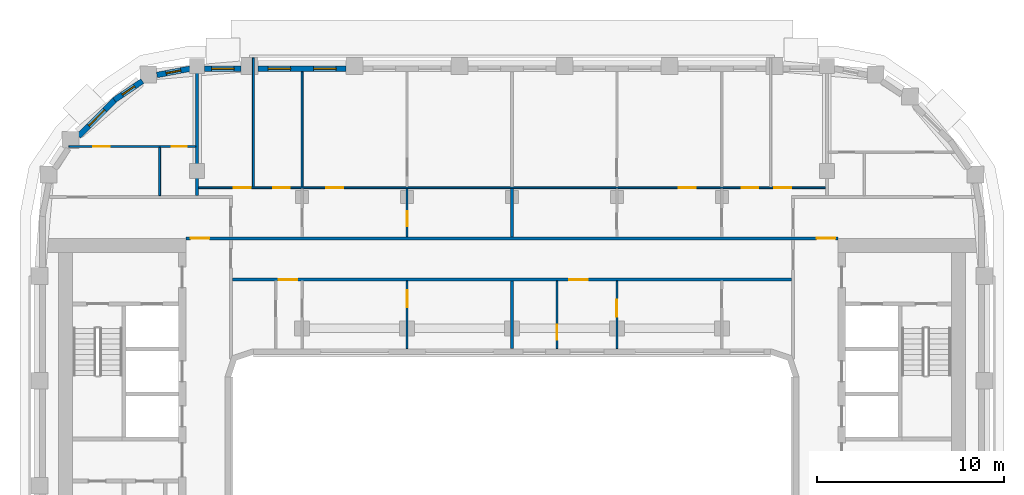
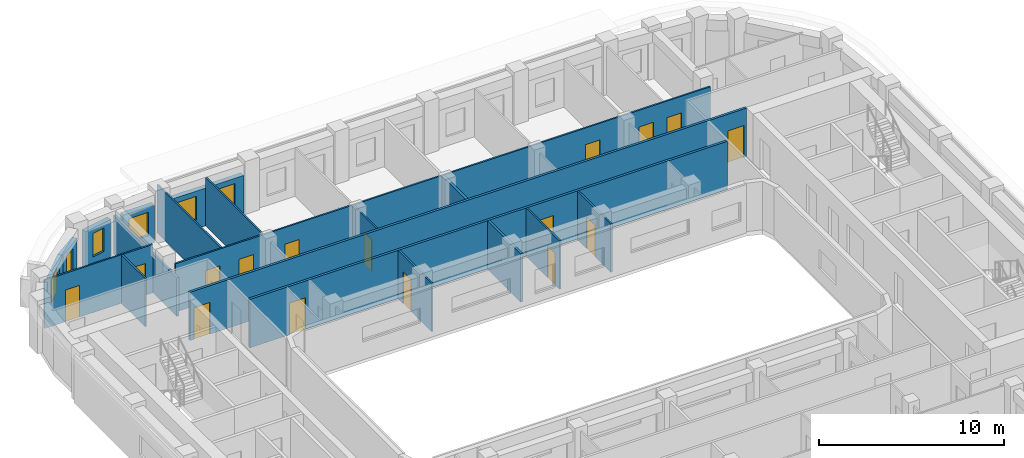
# One storey, part 7 of 21: 19 walls, 16 doors, 6 windows, 22 openings.
"""IFC4 building model written with IfcOpenShell, lengths in metres."""

import ifcopenshell
import ifcopenshell.guid

model = None  # the IFC model being written
_history = None  # IfcOwnerHistory: only IFC2X3 demands one
_inside = {}  # id of a spatial element -> (the spatial element, [elements in it])
_under = {}  # id of a project, library or spatial element -> (it, [spatial elements below it])
_declared = {}  # id of a project -> (the project, [libraries it declares])
_typed = {}  # id of a type object -> (the type object, [elements of that type])
_made_of = {}  # id of a material, layer set ... -> (it, [elements and type objects made of it])


def new_model(schema):
    """Start an empty IFC model of exactly this schema.

    Asked for "IFC4X3", IfcOpenShell would pick the latest addendum, in which some entities
    have other attributes; the version numbers below select the first issue.
    IFC2X3 requires an IfcOwnerHistory on every rooted entity: one is made here for all.
    """
    global model, _history
    if schema == "IFC4X3":
        model = ifcopenshell.file(schema_version=(4, 3, 0, 0))
    else:
        model = ifcopenshell.file(schema=schema)
    _inside.clear()
    _under.clear()
    _declared.clear()
    _typed.clear()
    _made_of.clear()
    _history = None
    if model.schema == "IFC2X3":
        org = make("IfcOrganization", Name="unknown")
        user = make(
            "IfcPersonAndOrganization",
            ThePerson=make("IfcPerson", FamilyName="unknown"),
            TheOrganization=org,
        )
        app = make(
            "IfcApplication",
            ApplicationDeveloper=org,
            Version="unknown",
            ApplicationFullName="unknown",
            ApplicationIdentifier="unknown",
        )
        _history = make(
            "IfcOwnerHistory",
            OwningUser=user,
            OwningApplication=app,
            ChangeAction="ADDED",
            CreationDate=0,
        )
    return model


def make(cls, **values):
    """One entity of the class cls with the attributes given. An attribute that is None is left unset."""
    return model.create_entity(
        cls, **{name: value for name, value in values.items() if value is not None}
    )


def rooted(cls, **values):
    """An entity with a GlobalId (a new one), such as an element, a storey or a relation."""
    return make(cls, GlobalId=ifcopenshell.guid.new(), OwnerHistory=_history, **values)


def si_unit(unit_type, name, prefix=None):
    """IfcSIUnit, for example si_unit("LENGTHUNIT", "METRE", prefix="MILLI")."""
    return make("IfcSIUnit", UnitType=unit_type, Prefix=prefix, Name=name)


def assignment(units):
    """IfcUnitAssignment: the units of a project."""
    return None if units is None else make("IfcUnitAssignment", Units=units)


def point(xyz):
    """IfcCartesianPoint."""
    return None if xyz is None else make("IfcCartesianPoint", Coordinates=xyz)


def direction(xyz):
    """IfcDirection."""
    return None if xyz is None else make("IfcDirection", DirectionRatios=xyz)


def frame(location, z_axis=None, x_axis=None):
    """IfcAxis2Placement3D, a coordinate frame: its origin and axes. An axis left out is left unset."""
    return make(
        "IfcAxis2Placement3D",
        Location=point(location),
        Axis=direction(z_axis),
        RefDirection=direction(x_axis),
    )


def frame_2d(location, x_axis=None):
    """IfcAxis2Placement2D, a coordinate frame in the plane: its origin and x axis."""
    return make(
        "IfcAxis2Placement2D", Location=point(location), RefDirection=direction(x_axis)
    )


def origin():
    """The frame at (0, 0, 0) with its axes left unset."""
    return frame((0.0, 0.0, 0.0))


def place(relative_to, where):
    """IfcLocalPlacement: puts the frame where relative to a parent placement (None: the world)."""
    return make(
        "IfcLocalPlacement", PlacementRelTo=relative_to, RelativePlacement=where
    )


def context(
    kind, dimensions, precision=None, world=None, true_north=None, identifier=None
):
    """IfcGeometricRepresentationContext, for example the 3D "Model" context."""
    return make(
        "IfcGeometricRepresentationContext",
        ContextIdentifier=identifier,
        ContextType=kind,
        CoordinateSpaceDimension=dimensions,
        Precision=precision,
        WorldCoordinateSystem=world,
        TrueNorth=true_north,
    )


def subcontext(parent, identifier, kind, view, scale=None):
    """IfcGeometricRepresentationSubContext, for example "Body" below "Model"."""
    return make(
        "IfcGeometricRepresentationSubContext",
        ContextIdentifier=identifier,
        ContextType=kind,
        ParentContext=parent,
        TargetScale=scale,
        TargetView=view,
    )


def project(units=None, contexts=None):
    """IfcProject with its units and contexts."""
    return rooted(
        "IfcProject",
        Name="project",
        RepresentationContexts=contexts,
        UnitsInContext=assignment(units),
    )


def spatial(cls, under=None, at=None, **own):
    """A site, building, storey or space (cls), placed at a placement, below another one or the project."""
    s = rooted(cls, ObjectPlacement=at, **own)
    if under is not None:
        _under.setdefault(under.id(), (under, []))[1].append(s)
    return s


def profile(cls, at=None, kind="AREA", **sizes):
    """A parametric profile (cls). Its sizes go by their IFC names, for example OverallWidth=200.0."""
    return make(cls, ProfileType=kind, Position=at, **sizes)


def rectangle(**sizes):
    """IfcRectangleProfileDef."""
    return profile("IfcRectangleProfileDef", **sizes)


def extrude(swept, where, along, depth):
    """IfcExtrudedAreaSolid: the profile swept, set in the frame where, extruded along a direction by depth."""
    return make(
        "IfcExtrudedAreaSolid",
        SweptArea=swept,
        Position=where,
        ExtrudedDirection=direction(along),
        Depth=depth,
    )


def shape(context_of_items, identifier, shape_type, items):
    """IfcShapeRepresentation: the items that make up one representation, for example the "Body"."""
    return make(
        "IfcShapeRepresentation",
        ContextOfItems=context_of_items,
        RepresentationIdentifier=identifier,
        RepresentationType=shape_type,
        Items=items,
    )


def material(Name=None, Category=None):
    """IfcMaterial."""
    return make("IfcMaterial", Name=Name, Category=Category)


def layer(
    of_material, thickness, ventilated=None, Name=None, Category=None, Priority=None
):
    """IfcMaterialLayer: one layer of a wall or slab, of a material (None: an air gap)."""
    return make(
        "IfcMaterialLayer",
        Material=of_material,
        LayerThickness=thickness,
        IsVentilated=ventilated,
        Name=Name,
        Category=Category,
        Priority=Priority,
    )


def layer_set(layers, Name=None):
    """IfcMaterialLayerSet."""
    return make("IfcMaterialLayerSet", MaterialLayers=layers, LayerSetName=Name)


def made_of(thing, what):
    """Note that an element or type object is made of a material, layer set ...; save() writes the relation."""
    if what is not None:
        _made_of.setdefault(what.id(), (what, []))[1].append(thing)
    return thing


def type_object(cls, material=None, **own):
    """A type object (cls), such as IfcWallType, which elements share."""
    return made_of(rooted(cls, **own), material)


def element(
    cls,
    number,
    at=None,
    inside=None,
    cuts=None,
    type_object=None,
    material=None,
    context=None,
    identifier="Body",
    shape_type=None,
    held_by="IfcProductDefinitionShape",
    body=None,
    shapes=None,
    **own,
):
    """One element of the class cls, such as IfcWall. Its Tag is "e" and its number.

    at: its placement. inside: the storey or other place that contains it. cuts: it is an
    opening in that element (IfcRelVoidsElement). A single representation is given by context,
    identifier, shape_type and body (its items); several are given by shapes. held_by: the class
    of the entity that holds the representations. save() writes the other relations.
    """
    e = rooted(cls, Tag="e%d" % number, ObjectPlacement=at, **own)
    if body is not None:
        shapes = [shape(context, identifier, shape_type, body)]
    if shapes is not None:
        e.Representation = make(held_by, Representations=shapes)
    if inside is not None:
        _inside.setdefault(inside.id(), (inside, []))[1].append(e)
    if cuts is not None:
        rooted(
            "IfcRelVoidsElement", RelatingBuildingElement=cuts, RelatedOpeningElement=e
        )
    if type_object is not None:
        _typed.setdefault(type_object.id(), (type_object, []))[1].append(e)
    return made_of(e, material)


def fill(opening, filler):
    """IfcRelFillsElement: the door or window that sits in an opening."""
    return rooted(
        "IfcRelFillsElement",
        RelatingOpeningElement=opening,
        RelatedBuildingElement=filler,
    )


def aggregate(whole, parts):
    """IfcRelAggregates: a whole, such as a stair, and the parts it consists of."""
    return rooted("IfcRelAggregates", RelatingObject=whole, RelatedObjects=parts)


def save(model, path):
    """Write the relations noted so far, then the file.

    IfcRelAggregates (storeys below a building ...), IfcRelContainedInSpatialStructure (elements
    in a storey), IfcRelDefinesByType, IfcRelAssociatesMaterial and IfcRelDeclares: one each for
    every whole, place, type object, material and project.
    """
    for whole, parts in _under.values():
        aggregate(whole, parts)
    for where, things in _inside.values():
        rooted(
            "IfcRelContainedInSpatialStructure",
            RelatedElements=things,
            RelatingStructure=where,
        )
    for kind, things in _typed.values():
        rooted("IfcRelDefinesByType", RelatedObjects=things, RelatingType=kind)
    for what, things in _made_of.values():
        rooted("IfcRelAssociatesMaterial", RelatedObjects=things, RelatingMaterial=what)
    for by, libraries in _declared.values():
        rooted("IfcRelDeclares", RelatingContext=by, RelatedDefinitions=libraries)
    model.write(path)


model = new_model("IFC4")

# Units and contexts
model_context = context("Model", 3, precision=1e-05, world=origin(), true_north=direction((0.0, 1.0)))
body_context = subcontext(model_context, "Body", "Model", "MODEL_VIEW")
ifc_project = project(units=[si_unit("LENGTHUNIT", "METRE"), si_unit("AREAUNIT", "SQUARE_METRE"), si_unit("VOLUMEUNIT", "CUBIC_METRE"), si_unit("PLANEANGLEUNIT", "RADIAN"), si_unit("MASSUNIT", "GRAM", prefix="KILO")], contexts=[model_context])

# Site, building, storey
site_placement = place(None, origin())
site = spatial("IfcSite", under=ifc_project, at=site_placement, CompositionType="ELEMENT")
building_placement = place(site_placement, origin())
building = spatial("IfcBuilding", under=site, at=building_placement, Name="Kiln Ring Residences", CompositionType="ELEMENT")
storey_placement = place(building_placement, frame((0.0, 0.0, 199.39990234375)))
storey = spatial("IfcBuildingStorey", under=building, at=storey_placement, Name="L51", CompositionType="ELEMENT", Elevation=199.39990234375)

# Wall, openings, windows
ifc_material_1 = material(Name="Brick masonry, dark clay brick", Category="masonry")
ifc_layer_1 = layer(ifc_material_1, 0.300048828125)
ifc_layer_set_1 = layer_set([ifc_layer_1], Name="EW-300 BRICK WALL")
wall_type_1 = type_object("IfcWallType", Name="EW-300 BRICK WALL", PredefinedType="SOLIDWALL", material=ifc_layer_set_1)
wall_1_placement = place(storey_placement, frame((-8.85009765625, 22.25, 0.0), z_axis=(0.0, 0.0, 1.0), x_axis=(-1.0, 0.0, 0.0)))
wall_1 = element("IfcWall", 1, at=wall_1_placement, inside=storey, type_object=wall_type_1, Name="Facade wall L51 32", PredefinedType="SOLIDWALL", context=body_context, shape_type="SweptSolid", body=[
    extrude(rectangle(XDim=4.699951171875, YDim=0.300048828125, at=frame_2d((2.35009765625, 0.0))), origin(), (0.0, 0.0, 1.0), 2.5),
])
opening_1_placement = place(wall_1_placement, frame((0.53759765625, 0.0, 0.60009765625)))
opening_1 = element("IfcOpeningElement", 2, at=opening_1_placement, cuts=wall_1, Name="Opening W1", PredefinedType="OPENING", context=body_context, shape_type="SweptSolid", body=[
    extrude(rectangle(XDim=1.199951171875, YDim=1.550048828125, at=frame_2d((0.60009765625, 0.77490234375))), frame((0.0, 0.159912109375, 0.0), z_axis=(0.0, -1.0, 0.0), x_axis=(1.0, 0.0, 0.0)), (0.0, 0.0, 1.0), 0.320068359375),
])
opening_2_placement = place(wall_1_placement, frame((2.96240234375, 0.0, 0.60009765625)))
opening_2 = element("IfcOpeningElement", 3, at=opening_2_placement, cuts=wall_1, Name="Opening W1", PredefinedType="OPENING", context=body_context, shape_type="SweptSolid", body=[
    extrude(rectangle(XDim=1.199951171875, YDim=1.550048828125, at=frame_2d((0.60009765625, 0.77490234375))), frame((0.0, 0.159912109375, 0.0), z_axis=(0.0, -1.0, 0.0), x_axis=(1.0, 0.0, 0.0)), (0.0, 0.0, 1.0), 0.320068359375),
])
ifc_material_2 = material(Name="Aluminium frame with double glazing", Category="aluminium")
window_type_1 = type_object("IfcWindowType", Name="WINDOW 1200 x 1550", PartitioningType="SINGLE_PANEL", PredefinedType="WINDOW", material=ifc_material_2)
window_1_placement = place(opening_1_placement, origin())
window_1 = element("IfcWindow", 4, at=window_1_placement, inside=storey, type_object=window_type_1, Name="Window L51 28", OverallHeight=1.550048828125, OverallWidth=1.199951171875, PartitioningType="SINGLE_PANEL", PredefinedType="WINDOW", context=body_context, shape_type="SweptSolid", body=[
    extrude(rectangle(XDim=1.199951171875, YDim=1.550048828125, at=frame_2d((0.60009765625, 0.77490234375))), frame((0.0, 0.030029296875, 0.0), z_axis=(0.0, -1.0, 0.0), x_axis=(1.0, 0.0, 0.0)), (0.0, 0.0, 1.0), 0.06005859375),
])
fill(opening_1, window_1)
window_2_placement = place(opening_2_placement, origin())
window_2 = element("IfcWindow", 5, at=window_2_placement, inside=storey, type_object=window_type_1, Name="Window L51 29", OverallHeight=1.550048828125, OverallWidth=1.199951171875, PartitioningType="SINGLE_PANEL", PredefinedType="WINDOW", context=body_context, shape_type="SweptSolid", body=[
    extrude(rectangle(XDim=1.199951171875, YDim=1.550048828125, at=frame_2d((0.60009765625, 0.77490234375))), frame((0.0, 0.030029296875, 0.0), z_axis=(0.0, -1.0, 0.0), x_axis=(1.0, 0.0, 0.0)), (0.0, 0.0, 1.0), 0.06005859375),
])
fill(opening_2, window_2)

# Wall, opening, window
wall_2_placement = place(storey_placement, frame((-14.449951171875, 22.25, 0.0), z_axis=(0.0, 0.0, 1.0), x_axis=(-1.0, 0.0, 0.0)))
wall_2 = element("IfcWall", 6, at=wall_2_placement, inside=storey, type_object=wall_type_1, Name="Facade wall L51 33", PredefinedType="SOLIDWALL", context=body_context, shape_type="SweptSolid", body=[
    extrude(rectangle(XDim=1.949951171875, YDim=0.300048828125, at=frame_2d((0.97509765625, 0.0))), origin(), (0.0, 0.0, 1.0), 2.5),
])
opening_3_placement = place(wall_2_placement, frame((0.375, 0.0, 0.60009765625)))
opening_3 = element("IfcOpeningElement", 7, at=opening_3_placement, cuts=wall_2, Name="Opening W1", PredefinedType="OPENING", context=body_context, shape_type="SweptSolid", body=[
    extrude(rectangle(XDim=1.199951171875, YDim=1.550048828125, at=frame_2d((0.60009765625, 0.77490234375))), frame((0.0, 0.159912109375, 0.0), z_axis=(0.0, -1.0, 0.0), x_axis=(1.0, 0.0, 0.0)), (0.0, 0.0, 1.0), 0.320068359375),
])
window_3_placement = place(opening_3_placement, origin())
window_3 = element("IfcWindow", 8, at=window_3_placement, inside=storey, type_object=window_type_1, Name="Window L51 30", OverallHeight=1.550048828125, OverallWidth=1.199951171875, PartitioningType="SINGLE_PANEL", PredefinedType="WINDOW", context=body_context, shape_type="SweptSolid", body=[
    extrude(rectangle(XDim=1.199951171875, YDim=1.550048828125, at=frame_2d((0.60009765625, 0.77490234375))), frame((0.0, 0.030029296875, 0.0), z_axis=(0.0, -1.0, 0.0), x_axis=(1.0, 0.0, 0.0)), (0.0, 0.0, 1.0), 0.06005859375),
])
fill(opening_3, window_3)

wall_3_placement = place(storey_placement, frame((-17.178955078125, 22.251220703125, 0.0), z_axis=(0.0, 0.0, 1.0), x_axis=(-0.98230529033, -0.187286722942, 0.0)))
wall_3 = element("IfcWall", 9, at=wall_3_placement, inside=storey, type_object=wall_type_1, Name="Facade wall L51 34", PredefinedType="SOLIDWALL", context=body_context, shape_type="SweptSolid", body=[
    extrude(rectangle(XDim=1.798828125, YDim=0.300048828125, at=frame_2d((0.8994140625, 0.0))), origin(), (0.0, 0.0, 1.0), 2.5),
])
opening_4_placement = place(wall_3_placement, frame((0.49951171875, 0.0, 0.60009765625)))
opening_4 = element("IfcOpeningElement", 10, at=opening_4_placement, cuts=wall_3, Name="Opening W5", PredefinedType="OPENING", context=body_context, shape_type="SweptSolid", body=[
    extrude(rectangle(XDim=0.800048828125, YDim=1.550048828125, at=frame_2d((0.39990234375, 0.77490234375))), frame((0.0, 0.159912109375, 0.0), z_axis=(0.0, -1.0, 0.0), x_axis=(1.0, 0.0, 0.0)), (0.0, 0.0, 1.0), 0.320068359375),
])
ifc_material_3 = material(Name="Aluminium frame with double glazing", Category="aluminium")
window_type_2 = type_object("IfcWindowType", Name="WINDOW 800 x 1550", PartitioningType="SINGLE_PANEL", PredefinedType="WINDOW", material=ifc_material_3)
window_4_placement = place(opening_4_placement, origin())
window_4 = element("IfcWindow", 11, at=window_4_placement, inside=storey, type_object=window_type_2, Name="Window L51 31", OverallHeight=1.550048828125, OverallWidth=0.800048828125, PartitioningType="SINGLE_PANEL", PredefinedType="WINDOW", context=body_context, shape_type="SweptSolid", body=[
    extrude(rectangle(XDim=0.800048828125, YDim=1.550048828125, at=frame_2d((0.39990234375, 0.77490234375))), frame((0.0, 0.030029296875, 0.0), z_axis=(0.0, -1.0, 0.0), x_axis=(1.0, 0.0, 0.0)), (0.0, 0.0, 1.0), 0.06005859375),
])
fill(opening_4, window_4)

wall_4_placement = place(storey_placement, frame((-19.718994140625, 21.593994140625, 0.0), z_axis=(0.0, 0.0, 1.0), x_axis=(-0.827067282455, -0.562102935673, 0.0)))
wall_4 = element("IfcWall", 12, at=wall_4_placement, inside=storey, type_object=wall_type_1, Name="Facade wall L51 35", PredefinedType="SOLIDWALL", context=body_context, shape_type="SweptSolid", body=[
    extrude(rectangle(XDim=1.805908203125, YDim=0.300048828125, at=frame_2d((0.90283203125, 0.0))), origin(), (0.0, 0.0, 1.0), 2.5),
])
opening_5_placement = place(wall_4_placement, frame((0.5029296875, 0.0, 0.60009765625)))
opening_5 = element("IfcOpeningElement", 13, at=opening_5_placement, cuts=wall_4, Name="Opening W5", PredefinedType="OPENING", context=body_context, shape_type="SweptSolid", body=[
    extrude(rectangle(XDim=0.800048828125, YDim=1.550048828125, at=frame_2d((0.39990234375, 0.77490234375))), frame((0.0, 0.159912109375, 0.0), z_axis=(0.0, -1.0, 0.0), x_axis=(1.0, 0.0, 0.0)), (0.0, 0.0, 1.0), 0.320068359375),
])
window_5_placement = place(opening_5_placement, origin())
window_5 = element("IfcWindow", 14, at=window_5_placement, inside=storey, type_object=window_type_2, Name="Window L51 32", OverallHeight=1.550048828125, OverallWidth=0.800048828125, PartitioningType="SINGLE_PANEL", PredefinedType="WINDOW", context=body_context, shape_type="SweptSolid", body=[
    extrude(rectangle(XDim=0.800048828125, YDim=1.550048828125, at=frame_2d((0.39990234375, 0.77490234375))), frame((0.0, 0.030029296875, 0.0), z_axis=(0.0, -1.0, 0.0), x_axis=(1.0, 0.0, 0.0)), (0.0, 0.0, 1.0), 0.06005859375),
])
fill(opening_5, window_5)

wall_5_placement = place(storey_placement, frame((-21.19091796875, 20.596923828125, 0.0), z_axis=(0.0, 0.0, 1.0), x_axis=(-0.707106781187, -0.707106781187, 0.0)))
wall_5 = element("IfcWall", 15, at=wall_5_placement, inside=storey, type_object=wall_type_1, Name="Facade wall L51 36", PredefinedType="SOLIDWALL", context=body_context, shape_type="SweptSolid", body=[
    extrude(rectangle(XDim=2.75, YDim=0.300048828125, at=frame_2d((1.375, 0.0))), origin(), (0.0, 0.0, 1.0), 2.5),
])
opening_6_placement = place(wall_5_placement, frame((0.77490234375, 0.0, 0.60009765625)))
opening_6 = element("IfcOpeningElement", 16, at=opening_6_placement, cuts=wall_5, Name="Opening W1", PredefinedType="OPENING", context=body_context, shape_type="SweptSolid", body=[
    extrude(rectangle(XDim=1.199951171875, YDim=1.550048828125, at=frame_2d((0.60009765625, 0.77490234375))), frame((0.0, 0.159912109375, 0.0), z_axis=(0.0, -1.0, 0.0), x_axis=(1.0, 0.0, 0.0)), (0.0, 0.0, 1.0), 0.320068359375),
])
window_6_placement = place(opening_6_placement, origin())
window_6 = element("IfcWindow", 17, at=window_6_placement, inside=storey, type_object=window_type_1, Name="Window L51 33", OverallHeight=1.550048828125, OverallWidth=1.199951171875, PartitioningType="SINGLE_PANEL", PredefinedType="WINDOW", context=body_context, shape_type="SweptSolid", body=[
    extrude(rectangle(XDim=1.199951171875, YDim=1.550048828125, at=frame_2d((0.60009765625, 0.77490234375))), frame((0.0, 0.030029296875, 0.0), z_axis=(0.0, -1.0, 0.0), x_axis=(1.0, 0.0, 0.0)), (0.0, 0.0, 1.0), 0.06005859375),
])
fill(opening_6, window_6)

# Wall, openings, doors
ifc_material_4 = material(Name="Gypsum board on steel studs", Category="steel")
ifc_layer_2 = layer(ifc_material_4, 0.10009765625)
ifc_layer_set_2 = layer_set([ifc_layer_2], Name="PARTITION-100")
wall_type_2 = type_object("IfcWallType", Name="PARTITION-100", PredefinedType="PARTITIONING", material=ifc_layer_set_2)
wall_6_placement = place(storey_placement, frame((-16.72509765625, 15.89990234375, 0.0), z_axis=(0.0, 0.0, 1.0), x_axis=(1.0, 0.0, 0.0)))
wall_6 = element("IfcWall", 18, at=wall_6_placement, inside=storey, type_object=wall_type_2, Name="Partition 011", PredefinedType="PARTITIONING", context=body_context, shape_type="SweptSolid", body=[
    extrude(rectangle(XDim=33.4501953125, YDim=0.10009765625, at=frame_2d((16.72509765625, 0.0))), origin(), (0.0, 0.0, 1.0), 3.2001953125),
])
opening_7_placement = place(wall_6_placement, frame((1.875, 0.0, 0.0)))
opening_7 = element("IfcOpeningElement", 19, at=opening_7_placement, cuts=wall_6, Name="Opening L51-D020", PredefinedType="OPENING", context=body_context, shape_type="SweptSolid", body=[
    extrude(rectangle(XDim=0.89990234375, YDim=2.10009765625, at=frame_2d((0.449951171875, 1.050048828125))), frame((0.0, 0.06005859375, 0.0), z_axis=(0.0, -1.0, 0.0), x_axis=(1.0, 0.0, 0.0)), (0.0, 0.0, 1.0), 0.1201171875),
])
opening_8_placement = place(wall_6_placement, frame((3.97509765625, 0.0, 0.0)))
opening_8 = element("IfcOpeningElement", 20, at=opening_8_placement, cuts=wall_6, Name="Opening L51-D021", PredefinedType="OPENING", context=body_context, shape_type="SweptSolid", body=[
    extrude(rectangle(XDim=0.89990234375, YDim=2.10009765625, at=frame_2d((0.449951171875, 1.050048828125))), frame((0.0, 0.06005859375, 0.0), z_axis=(0.0, -1.0, 0.0), x_axis=(1.0, 0.0, 0.0)), (0.0, 0.0, 1.0), 0.1201171875),
])
opening_9_placement = place(wall_6_placement, frame((6.824951171875, 0.0, 0.0)))
opening_9 = element("IfcOpeningElement", 21, at=opening_9_placement, cuts=wall_6, Name="Opening L51-D022", PredefinedType="OPENING", context=body_context, shape_type="SweptSolid", body=[
    extrude(rectangle(XDim=0.89990234375, YDim=2.10009765625, at=frame_2d((0.449951171875, 1.050048828125))), frame((0.0, 0.06005859375, 0.0), z_axis=(0.0, -1.0, 0.0), x_axis=(1.0, 0.0, 0.0)), (0.0, 0.0, 1.0), 0.1201171875),
])
opening_10_placement = place(wall_6_placement, frame((28.97509765625, 0.0, 0.0)))
opening_10 = element("IfcOpeningElement", 22, at=opening_10_placement, cuts=wall_6, Name="Opening L51-D027", PredefinedType="OPENING", context=body_context, shape_type="SweptSolid", body=[
    extrude(rectangle(XDim=0.89990234375, YDim=2.10009765625, at=frame_2d((0.449951171875, 1.050048828125))), frame((0.0, 0.06005859375, 0.0), z_axis=(0.0, -1.0, 0.0), x_axis=(1.0, 0.0, 0.0)), (0.0, 0.0, 1.0), 0.1201171875),
])
opening_11_placement = place(wall_6_placement, frame((30.72509765625, 0.0, 0.0)))
opening_11 = element("IfcOpeningElement", 23, at=opening_11_placement, cuts=wall_6, Name="Opening L51-D028", PredefinedType="OPENING", context=body_context, shape_type="SweptSolid", body=[
    extrude(rectangle(XDim=0.89990234375, YDim=2.10009765625, at=frame_2d((0.449951171875, 1.050048828125))), frame((0.0, 0.06005859375, 0.0), z_axis=(0.0, -1.0, 0.0), x_axis=(1.0, 0.0, 0.0)), (0.0, 0.0, 1.0), 0.1201171875),
])
opening_12_placement = place(wall_6_placement, frame((25.625, 0.0, 0.0)))
opening_12 = element("IfcOpeningElement", 24, at=opening_12_placement, cuts=wall_6, Name="Opening L51-D029", PredefinedType="OPENING", context=body_context, shape_type="SweptSolid", body=[
    extrude(rectangle(XDim=0.89990234375, YDim=2.10009765625, at=frame_2d((0.449951171875, 1.050048828125))), frame((0.0, 0.06005859375, 0.0), z_axis=(0.0, -1.0, 0.0), x_axis=(1.0, 0.0, 0.0)), (0.0, 0.0, 1.0), 0.1201171875),
])
ifc_material_5 = material(Name="Timber door leaf", Category="wood")
door_type_1 = type_object("IfcDoorType", Name="FLAT-DOOR-900-PL", OperationType="SINGLE_SWING_LEFT", PredefinedType="DOOR", material=ifc_material_5)
door_1_placement = place(opening_7_placement, origin())
door_1 = element("IfcDoor", 25, at=door_1_placement, inside=storey, type_object=door_type_1, Name="Door L51-D020", OperationType="SINGLE_SWING_LEFT", OverallHeight=2.10009765625, OverallWidth=0.89990234375, PredefinedType="DOOR", context=body_context, shape_type="SweptSolid", body=[
    extrude(rectangle(XDim=0.89990234375, YDim=2.10009765625, at=frame_2d((0.449951171875, 1.050048828125))), frame((0.0, 0.02490234375, 0.0), z_axis=(0.0, -1.0, 0.0), x_axis=(1.0, 0.0, 0.0)), (0.0, 0.0, 1.0), 0.050048828125),
])
fill(opening_7, door_1)
door_2_placement = place(opening_8_placement, origin())
door_2 = element("IfcDoor", 26, at=door_2_placement, inside=storey, type_object=door_type_1, Name="Door L51-D021", OperationType="SINGLE_SWING_LEFT", OverallHeight=2.10009765625, OverallWidth=0.89990234375, PredefinedType="DOOR", context=body_context, shape_type="SweptSolid", body=[
    extrude(rectangle(XDim=0.89990234375, YDim=2.10009765625, at=frame_2d((0.449951171875, 1.050048828125))), frame((0.0, 0.02490234375, 0.0), z_axis=(0.0, -1.0, 0.0), x_axis=(1.0, 0.0, 0.0)), (0.0, 0.0, 1.0), 0.050048828125),
])
fill(opening_8, door_2)
door_3_placement = place(opening_9_placement, origin())
door_3 = element("IfcDoor", 27, at=door_3_placement, inside=storey, type_object=door_type_1, Name="Door L51-D022", OperationType="SINGLE_SWING_RIGHT", OverallHeight=2.10009765625, OverallWidth=0.89990234375, PredefinedType="DOOR", context=body_context, shape_type="SweptSolid", body=[
    extrude(rectangle(XDim=0.89990234375, YDim=2.10009765625, at=frame_2d((0.449951171875, 1.050048828125))), frame((0.0, 0.02490234375, 0.0), z_axis=(0.0, -1.0, 0.0), x_axis=(1.0, 0.0, 0.0)), (0.0, 0.0, 1.0), 0.050048828125),
])
fill(opening_9, door_3)
door_4_placement = place(opening_10_placement, origin())
door_4 = element("IfcDoor", 28, at=door_4_placement, inside=storey, type_object=door_type_1, Name="Door L51-D027", OperationType="SINGLE_SWING_LEFT", OverallHeight=2.10009765625, OverallWidth=0.89990234375, PredefinedType="DOOR", context=body_context, shape_type="SweptSolid", body=[
    extrude(rectangle(XDim=0.89990234375, YDim=2.10009765625, at=frame_2d((0.449951171875, 1.050048828125))), frame((0.0, 0.02490234375, 0.0), z_axis=(0.0, -1.0, 0.0), x_axis=(1.0, 0.0, 0.0)), (0.0, 0.0, 1.0), 0.050048828125),
])
fill(opening_10, door_4)
door_5_placement = place(opening_11_placement, origin())
door_5 = element("IfcDoor", 29, at=door_5_placement, inside=storey, type_object=door_type_1, Name="Door L51-D028", OperationType="SINGLE_SWING_RIGHT", OverallHeight=2.10009765625, OverallWidth=0.89990234375, PredefinedType="DOOR", context=body_context, shape_type="SweptSolid", body=[
    extrude(rectangle(XDim=0.89990234375, YDim=2.10009765625, at=frame_2d((0.449951171875, 1.050048828125))), frame((0.0, 0.02490234375, 0.0), z_axis=(0.0, -1.0, 0.0), x_axis=(1.0, 0.0, 0.0)), (0.0, 0.0, 1.0), 0.050048828125),
])
fill(opening_11, door_5)
door_6_placement = place(opening_12_placement, origin())
door_6 = element("IfcDoor", 30, at=door_6_placement, inside=storey, type_object=door_type_1, Name="Door L51-D029", OperationType="SINGLE_SWING_LEFT", OverallHeight=2.10009765625, OverallWidth=0.89990234375, PredefinedType="DOOR", context=body_context, shape_type="SweptSolid", body=[
    extrude(rectangle(XDim=0.89990234375, YDim=2.10009765625, at=frame_2d((0.449951171875, 1.050048828125))), frame((0.0, 0.02490234375, 0.0), z_axis=(0.0, -1.0, 0.0), x_axis=(1.0, 0.0, 0.0)), (0.0, 0.0, 1.0), 0.050048828125),
])
fill(opening_12, door_6)

wall_7_placement = place(storey_placement, frame((-23.639892578125, 18.10009765625, 0.0), z_axis=(0.0, 0.0, 1.0), x_axis=(1.0, 0.0, 0.0)))
wall_7 = element("IfcWall", 31, at=wall_7_placement, inside=storey, type_object=wall_type_2, Name="Partition 013", PredefinedType="PARTITIONING", context=body_context, shape_type="SweptSolid", body=[
    extrude(rectangle(XDim=6.764892578125, YDim=0.10009765625, at=frame_2d((3.38232421875, 0.0))), origin(), (0.0, 0.0, 1.0), 3.2001953125),
])
opening_13_placement = place(wall_7_placement, frame((5.489990234375, 0.0, 0.0)))
opening_13 = element("IfcOpeningElement", 32, at=opening_13_placement, cuts=wall_7, Name="Opening L51-D035", PredefinedType="OPENING", context=body_context, shape_type="SweptSolid", body=[
    extrude(rectangle(XDim=0.800048828125, YDim=2.10009765625, at=frame_2d((0.39990234375, 1.050048828125))), frame((0.0, 0.06005859375, 0.0), z_axis=(0.0, -1.0, 0.0), x_axis=(1.0, 0.0, 0.0)), (0.0, 0.0, 1.0), 0.1201171875),
])
opening_14_placement = place(wall_7_placement, frame((1.2900390625, 0.0, 0.0)))
opening_14 = element("IfcOpeningElement", 33, at=opening_14_placement, cuts=wall_7, Name="Opening L51-D036", PredefinedType="OPENING", context=body_context, shape_type="SweptSolid", body=[
    extrude(rectangle(XDim=0.89990234375, YDim=2.10009765625, at=frame_2d((0.449951171875, 1.050048828125))), frame((0.0, 0.06005859375, 0.0), z_axis=(0.0, -1.0, 0.0), x_axis=(1.0, 0.0, 0.0)), (0.0, 0.0, 1.0), 0.1201171875),
])
ifc_material_6 = material(Name="Timber door leaf", Category="wood")
door_type_2 = type_object("IfcDoorType", Name="FLAT-DOOR-800-PL", OperationType="SINGLE_SWING_LEFT", PredefinedType="DOOR", material=ifc_material_6)
door_7_placement = place(opening_13_placement, origin())
door_7 = element("IfcDoor", 34, at=door_7_placement, inside=storey, type_object=door_type_2, Name="Door L51-D035", OperationType="SINGLE_SWING_LEFT", OverallHeight=2.10009765625, OverallWidth=0.800048828125, PredefinedType="DOOR", context=body_context, shape_type="SweptSolid", body=[
    extrude(rectangle(XDim=0.800048828125, YDim=2.10009765625, at=frame_2d((0.39990234375, 1.050048828125))), frame((0.0, 0.02490234375, 0.0), z_axis=(0.0, -1.0, 0.0), x_axis=(1.0, 0.0, 0.0)), (0.0, 0.0, 1.0), 0.050048828125),
])
fill(opening_13, door_7)
door_8_placement = place(opening_14_placement, origin())
door_8 = element("IfcDoor", 35, at=door_8_placement, inside=storey, type_object=door_type_1, Name="Door L51-D036", OperationType="SINGLE_SWING_RIGHT", OverallHeight=2.10009765625, OverallWidth=0.89990234375, PredefinedType="DOOR", context=body_context, shape_type="SweptSolid", body=[
    extrude(rectangle(XDim=0.89990234375, YDim=2.10009765625, at=frame_2d((0.449951171875, 1.050048828125))), frame((0.0, 0.02490234375, 0.0), z_axis=(0.0, -1.0, 0.0), x_axis=(1.0, 0.0, 0.0)), (0.0, 0.0, 1.0), 0.050048828125),
])
fill(opening_14, door_8)

# Walls
wall_8_placement = place(storey_placement, frame((-18.800048828125, 15.47509765625, 0.0), z_axis=(0.0, 0.0, 1.0), x_axis=(0.0, 1.0, 0.0)))
element("IfcWall", 36, at=wall_8_placement, inside=storey, type_object=wall_type_2, Name="Partition 015", PredefinedType="PARTITIONING", context=body_context, shape_type="SweptSolid", body=[
    extrude(rectangle(XDim=2.574951171875, YDim=0.10009765625, at=frame_2d((1.28759765625, 0.0))), origin(), (0.0, 0.0, 1.0), 3.2001953125),
])
wall_9_placement = place(storey_placement, frame((-13.800048828125, 15.949951171875, 0.0), z_axis=(0.0, 0.0, 1.0), x_axis=(0.0, 1.0, 0.0)))
element("IfcWall", 37, at=wall_9_placement, inside=storey, type_object=wall_type_2, Name="Partition 022", PredefinedType="PARTITIONING", context=body_context, shape_type="SweptSolid", body=[
    extrude(rectangle(XDim=6.880126953125, YDim=0.10009765625, at=frame_2d((3.43994140625, 0.0))), origin(), (0.0, 0.0, 1.0), 3.2001953125),
])
wall_10_placement = place(storey_placement, frame((-11.199951171875, 15.949951171875, 0.0), z_axis=(0.0, 0.0, 1.0), x_axis=(0.0, 1.0, 0.0)))
element("IfcWall", 38, at=wall_10_placement, inside=storey, type_object=wall_type_2, Name="Partition 030", PredefinedType="PARTITIONING", context=body_context, shape_type="SweptSolid", body=[
    extrude(rectangle(XDim=6.130126953125, YDim=0.10009765625, at=frame_2d((3.06494140625, 0.0))), origin(), (0.0, 0.0, 1.0), 3.2001953125),
])

# Wall, opening, door
wall_11_placement = place(storey_placement, frame((-5.60009765625, 7.320068359375, 0.0), z_axis=(0.0, 0.0, 1.0), x_axis=(0.0, 1.0, 0.0)))
wall_11 = element("IfcWall", 39, at=wall_11_placement, inside=storey, type_object=wall_type_2, Name="Partition 034", PredefinedType="PARTITIONING", context=body_context, shape_type="SweptSolid", body=[
    extrude(rectangle(XDim=3.60498046875, YDim=0.10009765625, at=frame_2d((1.802490234375, 0.0))), origin(), (0.0, 0.0, 1.0), 3.2001953125),
])
opening_15_placement = place(wall_11_placement, frame((2.199951171875, 0.0, 0.0)))
opening_15 = element("IfcOpeningElement", 40, at=opening_15_placement, cuts=wall_11, Name="Opening L51-D012", PredefinedType="OPENING", context=body_context, shape_type="SweptSolid", body=[
    extrude(rectangle(XDim=0.89990234375, YDim=2.10009765625, at=frame_2d((0.449951171875, 1.050048828125))), frame((0.0, 0.06005859375, 0.0), z_axis=(0.0, -1.0, 0.0), x_axis=(1.0, 0.0, 0.0)), (0.0, 0.0, 1.0), 0.1201171875),
])
door_9_placement = place(opening_15_placement, origin())
door_9 = element("IfcDoor", 41, at=door_9_placement, inside=storey, type_object=door_type_1, Name="Door L51-D012", OperationType="SINGLE_SWING_RIGHT", OverallHeight=2.10009765625, OverallWidth=0.89990234375, PredefinedType="DOOR", context=body_context, shape_type="SweptSolid", body=[
    extrude(rectangle(XDim=0.89990234375, YDim=2.10009765625, at=frame_2d((0.449951171875, 1.050048828125))), frame((0.0, 0.02490234375, 0.0), z_axis=(0.0, -1.0, 0.0), x_axis=(1.0, 0.0, 0.0)), (0.0, 0.0, 1.0), 0.050048828125),
])
fill(opening_15, door_9)

wall_12_placement = place(storey_placement, frame((-5.60009765625, 13.27490234375, 0.0), z_axis=(0.0, 0.0, 1.0), x_axis=(0.0, 1.0, 0.0)))
wall_12 = element("IfcWall", 42, at=wall_12_placement, inside=storey, type_object=wall_type_2, Name="Partition 035", PredefinedType="PARTITIONING", context=body_context, shape_type="SweptSolid", body=[
    extrude(rectangle(XDim=2.5751953125, YDim=0.10009765625, at=frame_2d((1.28759765625, 0.0))), origin(), (0.0, 0.0, 1.0), 3.2001953125),
])
opening_16_placement = place(wall_12_placement, frame((0.575927734375, 0.0, 0.0)))
opening_16 = element("IfcOpeningElement", 43, at=opening_16_placement, cuts=wall_12, Name="Opening L51-D019", PredefinedType="OPENING", context=body_context, shape_type="SweptSolid", body=[
    extrude(rectangle(XDim=0.800048828125, YDim=2.10009765625, at=frame_2d((0.39990234375, 1.050048828125))), frame((0.0, 0.06005859375, 0.0), z_axis=(0.0, -1.0, 0.0), x_axis=(1.0, 0.0, 0.0)), (0.0, 0.0, 1.0), 0.1201171875),
])
door_10_placement = place(opening_16_placement, origin())
door_10 = element("IfcDoor", 44, at=door_10_placement, inside=storey, type_object=door_type_2, Name="Door L51-D019", OperationType="SINGLE_SWING_LEFT", OverallHeight=2.10009765625, OverallWidth=0.800048828125, PredefinedType="DOOR", context=body_context, shape_type="SweptSolid", body=[
    extrude(rectangle(XDim=0.800048828125, YDim=2.10009765625, at=frame_2d((0.39990234375, 1.050048828125))), frame((0.0, 0.02490234375, 0.0), z_axis=(0.0, -1.0, 0.0), x_axis=(1.0, 0.0, 0.0)), (0.0, 0.0, 1.0), 0.050048828125),
])
fill(opening_16, door_10)

wall_13_placement = place(storey_placement, frame((2.39990234375, 7.320068359375, 0.0), z_axis=(0.0, 0.0, 1.0), x_axis=(0.0, 1.0, 0.0)))
wall_13 = element("IfcWall", 45, at=wall_13_placement, inside=storey, type_object=wall_type_2, Name="Partition 043", PredefinedType="PARTITIONING", context=body_context, shape_type="SweptSolid", body=[
    extrude(rectangle(XDim=3.60498046875, YDim=0.10009765625, at=frame_2d((1.802490234375, 0.0))), origin(), (0.0, 0.0, 1.0), 3.2001953125),
])
opening_17_placement = place(wall_13_placement, frame((0.47900390625, 0.0, 0.0)))
opening_17 = element("IfcOpeningElement", 46, at=opening_17_placement, cuts=wall_13, Name="Opening L51-D014", PredefinedType="OPENING", context=body_context, shape_type="SweptSolid", body=[
    extrude(rectangle(XDim=0.800048828125, YDim=2.10009765625, at=frame_2d((0.39990234375, 1.050048828125))), frame((0.0, 0.06005859375, 0.0), z_axis=(0.0, -1.0, 0.0), x_axis=(1.0, 0.0, 0.0)), (0.0, 0.0, 1.0), 0.1201171875),
])
door_11_placement = place(opening_17_placement, origin())
door_11 = element("IfcDoor", 47, at=door_11_placement, inside=storey, type_object=door_type_2, Name="Door L51-D014", OperationType="SINGLE_SWING_RIGHT", OverallHeight=2.10009765625, OverallWidth=0.800048828125, PredefinedType="DOOR", context=body_context, shape_type="SweptSolid", body=[
    extrude(rectangle(XDim=0.800048828125, YDim=2.10009765625, at=frame_2d((0.39990234375, 1.050048828125))), frame((0.0, 0.02490234375, 0.0), z_axis=(0.0, -1.0, 0.0), x_axis=(1.0, 0.0, 0.0)), (0.0, 0.0, 1.0), 0.050048828125),
])
fill(opening_17, door_11)

wall_14_placement = place(storey_placement, frame((5.60009765625, 7.320068359375, 0.0), z_axis=(0.0, 0.0, 1.0), x_axis=(0.0, 1.0, 0.0)))
wall_14 = element("IfcWall", 48, at=wall_14_placement, inside=storey, type_object=wall_type_2, Name="Partition 047", PredefinedType="PARTITIONING", context=body_context, shape_type="SweptSolid", body=[
    extrude(rectangle(XDim=3.60498046875, YDim=0.10009765625, at=frame_2d((1.802490234375, 0.0))), origin(), (0.0, 0.0, 1.0), 3.2001953125),
])
opening_18_placement = place(wall_14_placement, frame((1.699951171875, 0.0, 0.0)))
opening_18 = element("IfcOpeningElement", 49, at=opening_18_placement, cuts=wall_14, Name="Opening L51-D015", PredefinedType="OPENING", context=body_context, shape_type="SweptSolid", body=[
    extrude(rectangle(XDim=0.89990234375, YDim=2.10009765625, at=frame_2d((0.449951171875, 1.050048828125))), frame((0.0, 0.06005859375, 0.0), z_axis=(0.0, -1.0, 0.0), x_axis=(1.0, 0.0, 0.0)), (0.0, 0.0, 1.0), 0.1201171875),
])
door_12_placement = place(opening_18_placement, origin())
door_12 = element("IfcDoor", 50, at=door_12_placement, inside=storey, type_object=door_type_1, Name="Door L51-D015", OperationType="SINGLE_SWING_RIGHT", OverallHeight=2.10009765625, OverallWidth=0.89990234375, PredefinedType="DOOR", context=body_context, shape_type="SweptSolid", body=[
    extrude(rectangle(XDim=0.89990234375, YDim=2.10009765625, at=frame_2d((0.449951171875, 1.050048828125))), frame((0.0, 0.02490234375, 0.0), z_axis=(0.0, -1.0, 0.0), x_axis=(1.0, 0.0, 0.0)), (0.0, 0.0, 1.0), 0.050048828125),
])
fill(opening_18, door_12)

# Wall, openings, doors
ifc_material_7 = material(Name="Brick masonry partition", Category="masonry")
ifc_layer_3 = layer(ifc_material_7, 0.14990234375)
ifc_layer_set_3 = layer_set([ifc_layer_3], Name="PARTITION-150-ei60")
wall_type_3 = type_object("IfcWallType", Name="PARTITION-150-ei60", PredefinedType="PARTITIONING", material=ifc_layer_set_3)
wall_15_placement = place(storey_placement, frame((-14.925048828125, 11.0, 0.0), z_axis=(0.0, 0.0, 1.0), x_axis=(1.0, 0.0, 0.0)))
wall_15 = element("IfcWall", 51, at=wall_15_placement, inside=storey, type_object=wall_type_3, Name="Partition 007", PredefinedType="PARTITIONING", context=body_context, shape_type="SweptSolid", body=[
    extrude(rectangle(XDim=29.85009765625, YDim=0.14990234375, at=frame_2d((14.925048828125, 0.0))), origin(), (0.0, 0.0, 1.0), 3.2001953125),
])
opening_19_placement = place(wall_15_placement, frame((2.47509765625, 0.0, 0.0)))
opening_19 = element("IfcOpeningElement", 52, at=opening_19_placement, cuts=wall_15, Name="Opening L51-D009", PredefinedType="OPENING", context=body_context, shape_type="SweptSolid", body=[
    extrude(rectangle(XDim=1.0, YDim=2.10009765625, at=frame_2d((0.5, 1.050048828125))), frame((0.0, 0.0849609375, 0.0), z_axis=(0.0, -1.0, 0.0), x_axis=(1.0, 0.0, 0.0)), (0.0, 0.0, 1.0), 0.169921875),
])
opening_20_placement = place(wall_15_placement, frame((17.97509765625, 0.0, 0.0)))
opening_20 = element("IfcOpeningElement", 53, at=opening_20_placement, cuts=wall_15, Name="Opening L51-D013", PredefinedType="OPENING", context=body_context, shape_type="SweptSolid", body=[
    extrude(rectangle(XDim=1.0, YDim=2.10009765625, at=frame_2d((0.5, 1.050048828125))), frame((0.0, 0.0849609375, 0.0), z_axis=(0.0, -1.0, 0.0), x_axis=(1.0, 0.0, 0.0)), (0.0, 0.0, 1.0), 0.169921875),
])
ifc_material_8 = material(Name="Steel faced fire door leaf", Category="steel")
door_type_3 = type_object("IfcDoorType", Name="FLAT-DOOR-1000-FR", OperationType="SINGLE_SWING_LEFT", PredefinedType="DOOR", material=ifc_material_8)
door_13_placement = place(opening_19_placement, origin())
door_13 = element("IfcDoor", 54, at=door_13_placement, inside=storey, type_object=door_type_3, Name="Door L51-D009", OperationType="SINGLE_SWING_LEFT", OverallHeight=2.10009765625, OverallWidth=1.0, PredefinedType="DOOR", context=body_context, shape_type="SweptSolid", body=[
    extrude(rectangle(XDim=1.0, YDim=2.10009765625, at=frame_2d((0.5, 1.050048828125))), frame((0.0, 0.02490234375, 0.0), z_axis=(0.0, -1.0, 0.0), x_axis=(1.0, 0.0, 0.0)), (0.0, 0.0, 1.0), 0.050048828125),
])
fill(opening_19, door_13)
door_14_placement = place(opening_20_placement, origin())
door_14 = element("IfcDoor", 55, at=door_14_placement, inside=storey, type_object=door_type_3, Name="Door L51-D013", OperationType="SINGLE_SWING_LEFT", OverallHeight=2.10009765625, OverallWidth=1.0, PredefinedType="DOOR", context=body_context, shape_type="SweptSolid", body=[
    extrude(rectangle(XDim=1.0, YDim=2.10009765625, at=frame_2d((0.5, 1.050048828125))), frame((0.0, 0.02490234375, 0.0), z_axis=(0.0, -1.0, 0.0), x_axis=(1.0, 0.0, 0.0)), (0.0, 0.0, 1.0), 0.050048828125),
])
fill(opening_20, door_14)

wall_16_placement = place(storey_placement, frame((-17.39990234375, 13.199951171875, 0.0), z_axis=(0.0, 0.0, 1.0), x_axis=(1.0, 0.0, 0.0)))
wall_16 = element("IfcWall", 56, at=wall_16_placement, inside=storey, type_object=wall_type_3, Name="Partition 008", PredefinedType="PARTITIONING", context=body_context, shape_type="SweptSolid", body=[
    extrude(rectangle(XDim=34.7998046875, YDim=0.14990234375, at=frame_2d((17.39990234375, 0.0))), origin(), (0.0, 0.0, 1.0), 3.2001953125),
])
opening_21_placement = place(wall_16_placement, frame((0.25, 0.0, 0.0)))
opening_21 = element("IfcOpeningElement", 57, at=opening_21_placement, cuts=wall_16, Name="Opening L51-D003", PredefinedType="OPENING", context=body_context, shape_type="SweptSolid", body=[
    extrude(rectangle(XDim=1.0, YDim=2.10009765625, at=frame_2d((0.5, 1.050048828125))), frame((0.0, 0.0849609375, 0.0), z_axis=(0.0, -1.0, 0.0), x_axis=(1.0, 0.0, 0.0)), (0.0, 0.0, 1.0), 0.169921875),
])
opening_22_placement = place(wall_16_placement, frame((33.64990234375, 0.0, 0.0)))
opening_22 = element("IfcOpeningElement", 58, at=opening_22_placement, cuts=wall_16, Name="Opening L51-D004", PredefinedType="OPENING", context=body_context, shape_type="SweptSolid", body=[
    extrude(rectangle(XDim=1.0, YDim=2.10009765625, at=frame_2d((0.5, 1.050048828125))), frame((0.0, 0.0849609375, 0.0), z_axis=(0.0, -1.0, 0.0), x_axis=(1.0, 0.0, 0.0)), (0.0, 0.0, 1.0), 0.169921875),
])
door_15_placement = place(opening_21_placement, origin())
door_15 = element("IfcDoor", 59, at=door_15_placement, inside=storey, type_object=door_type_3, Name="Door L51-D003", OperationType="SINGLE_SWING_LEFT", OverallHeight=2.10009765625, OverallWidth=1.0, PredefinedType="DOOR", context=body_context, shape_type="SweptSolid", body=[
    extrude(rectangle(XDim=1.0, YDim=2.10009765625, at=frame_2d((0.5, 1.050048828125))), frame((0.0, 0.02490234375, 0.0), z_axis=(0.0, -1.0, 0.0), x_axis=(1.0, 0.0, 0.0)), (0.0, 0.0, 1.0), 0.050048828125),
])
fill(opening_21, door_15)
door_16_placement = place(opening_22_placement, origin())
door_16 = element("IfcDoor", 60, at=door_16_placement, inside=storey, type_object=door_type_3, Name="Door L51-D004", OperationType="SINGLE_SWING_RIGHT", OverallHeight=2.10009765625, OverallWidth=1.0, PredefinedType="DOOR", context=body_context, shape_type="SweptSolid", body=[
    extrude(rectangle(XDim=1.0, YDim=2.10009765625, at=frame_2d((0.5, 1.050048828125))), frame((0.0, 0.02490234375, 0.0), z_axis=(0.0, -1.0, 0.0), x_axis=(1.0, 0.0, 0.0)), (0.0, 0.0, 1.0), 0.050048828125),
])
fill(opening_22, door_16)

# Walls
wall_17_placement = place(storey_placement, frame((-16.800048828125, 15.47509765625, 0.0), z_axis=(0.0, 0.0, 1.0), x_axis=(0.0, 1.0, 0.0)))
element("IfcWall", 61, at=wall_17_placement, inside=storey, type_object=wall_type_3, Name="Partition 017", PredefinedType="PARTITIONING", context=body_context, shape_type="SweptSolid", body=[
    extrude(rectangle(XDim=6.8349609375, YDim=0.14990234375, at=frame_2d((3.41748046875, 0.0))), origin(), (0.0, 0.0, 1.0), 2.550048828125),
])
wall_18_placement = place(storey_placement, frame((0.0, 7.320068359375, 0.0), z_axis=(0.0, 0.0, 1.0), x_axis=(0.0, 1.0, 0.0)))
element("IfcWall", 62, at=wall_18_placement, inside=storey, type_object=wall_type_3, Name="Partition 040", PredefinedType="PARTITIONING", context=body_context, shape_type="SweptSolid", body=[
    extrude(rectangle(XDim=3.60498046875, YDim=0.14990234375, at=frame_2d((1.802490234375, 0.0))), origin(), (0.0, 0.0, 1.0), 3.2001953125),
])
wall_19_placement = place(storey_placement, frame((0.0, 13.27490234375, 0.0), z_axis=(0.0, 0.0, 1.0), x_axis=(0.0, 1.0, 0.0)))
element("IfcWall", 63, at=wall_19_placement, inside=storey, type_object=wall_type_3, Name="Partition 041", PredefinedType="PARTITIONING", context=body_context, shape_type="SweptSolid", body=[
    extrude(rectangle(XDim=2.5751953125, YDim=0.14990234375, at=frame_2d((1.28759765625, 0.0))), origin(), (0.0, 0.0, 1.0), 3.2001953125),
])

save(model, "model.ifc")
